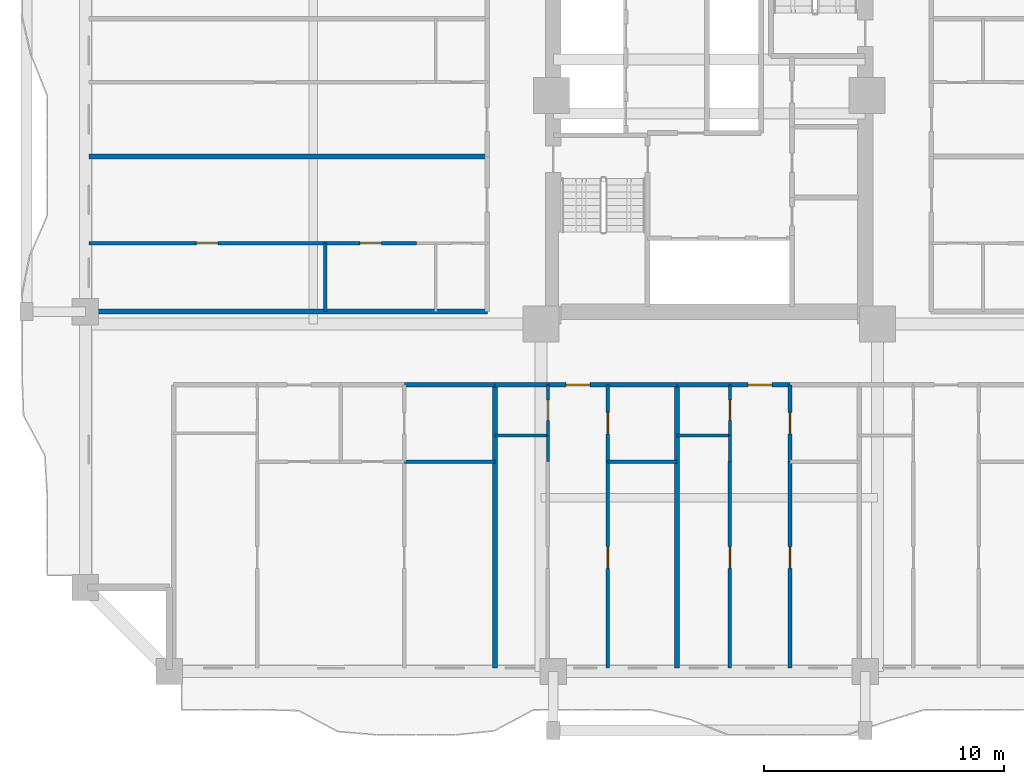
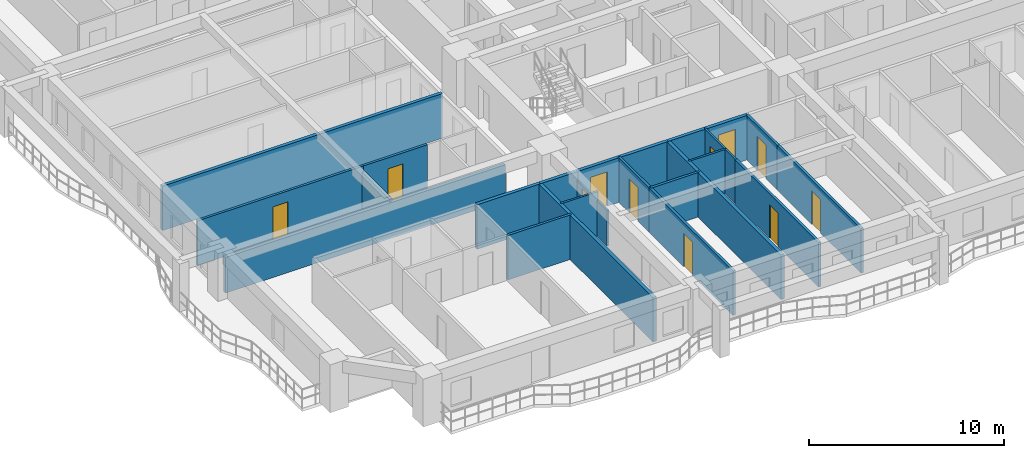
# One storey, part 3 of 16: 26 walls, 11 doors, 11 openings.
"""IFC4 building model written with IfcOpenShell, lengths in metres."""

import ifcopenshell
import ifcopenshell.guid

model = None  # the IFC model being written
_history = None  # IfcOwnerHistory: only IFC2X3 demands one
_inside = {}  # id of a spatial element -> (the spatial element, [elements in it])
_under = {}  # id of a project, library or spatial element -> (it, [spatial elements below it])
_declared = {}  # id of a project -> (the project, [libraries it declares])
_typed = {}  # id of a type object -> (the type object, [elements of that type])
_made_of = {}  # id of a material, layer set ... -> (it, [elements and type objects made of it])


def new_model(schema):
    """Start an empty IFC model of exactly this schema.

    Asked for "IFC4X3", IfcOpenShell would pick the latest addendum, in which some entities
    have other attributes; the version numbers below select the first issue.
    IFC2X3 requires an IfcOwnerHistory on every rooted entity: one is made here for all.
    """
    global model, _history
    if schema == "IFC4X3":
        model = ifcopenshell.file(schema_version=(4, 3, 0, 0))
    else:
        model = ifcopenshell.file(schema=schema)
    _inside.clear()
    _under.clear()
    _declared.clear()
    _typed.clear()
    _made_of.clear()
    _history = None
    if model.schema == "IFC2X3":
        org = make("IfcOrganization", Name="unknown")
        user = make(
            "IfcPersonAndOrganization",
            ThePerson=make("IfcPerson", FamilyName="unknown"),
            TheOrganization=org,
        )
        app = make(
            "IfcApplication",
            ApplicationDeveloper=org,
            Version="unknown",
            ApplicationFullName="unknown",
            ApplicationIdentifier="unknown",
        )
        _history = make(
            "IfcOwnerHistory",
            OwningUser=user,
            OwningApplication=app,
            ChangeAction="ADDED",
            CreationDate=0,
        )
    return model


def make(cls, **values):
    """One entity of the class cls with the attributes given. An attribute that is None is left unset."""
    return model.create_entity(
        cls, **{name: value for name, value in values.items() if value is not None}
    )


def rooted(cls, **values):
    """An entity with a GlobalId (a new one), such as an element, a storey or a relation."""
    return make(cls, GlobalId=ifcopenshell.guid.new(), OwnerHistory=_history, **values)


def si_unit(unit_type, name, prefix=None):
    """IfcSIUnit, for example si_unit("LENGTHUNIT", "METRE", prefix="MILLI")."""
    return make("IfcSIUnit", UnitType=unit_type, Prefix=prefix, Name=name)


def assignment(units):
    """IfcUnitAssignment: the units of a project."""
    return None if units is None else make("IfcUnitAssignment", Units=units)


def point(xyz):
    """IfcCartesianPoint."""
    return None if xyz is None else make("IfcCartesianPoint", Coordinates=xyz)


def direction(xyz):
    """IfcDirection."""
    return None if xyz is None else make("IfcDirection", DirectionRatios=xyz)


def frame(location, z_axis=None, x_axis=None):
    """IfcAxis2Placement3D, a coordinate frame: its origin and axes. An axis left out is left unset."""
    return make(
        "IfcAxis2Placement3D",
        Location=point(location),
        Axis=direction(z_axis),
        RefDirection=direction(x_axis),
    )


def frame_2d(location, x_axis=None):
    """IfcAxis2Placement2D, a coordinate frame in the plane: its origin and x axis."""
    return make(
        "IfcAxis2Placement2D", Location=point(location), RefDirection=direction(x_axis)
    )


def origin():
    """The frame at (0, 0, 0) with its axes left unset."""
    return frame((0.0, 0.0, 0.0))


def place(relative_to, where):
    """IfcLocalPlacement: puts the frame where relative to a parent placement (None: the world)."""
    return make(
        "IfcLocalPlacement", PlacementRelTo=relative_to, RelativePlacement=where
    )


def context(
    kind, dimensions, precision=None, world=None, true_north=None, identifier=None
):
    """IfcGeometricRepresentationContext, for example the 3D "Model" context."""
    return make(
        "IfcGeometricRepresentationContext",
        ContextIdentifier=identifier,
        ContextType=kind,
        CoordinateSpaceDimension=dimensions,
        Precision=precision,
        WorldCoordinateSystem=world,
        TrueNorth=true_north,
    )


def subcontext(parent, identifier, kind, view, scale=None):
    """IfcGeometricRepresentationSubContext, for example "Body" below "Model"."""
    return make(
        "IfcGeometricRepresentationSubContext",
        ContextIdentifier=identifier,
        ContextType=kind,
        ParentContext=parent,
        TargetScale=scale,
        TargetView=view,
    )


def project(units=None, contexts=None):
    """IfcProject with its units and contexts."""
    return rooted(
        "IfcProject",
        Name="project",
        RepresentationContexts=contexts,
        UnitsInContext=assignment(units),
    )


def spatial(cls, under=None, at=None, **own):
    """A site, building, storey or space (cls), placed at a placement, below another one or the project."""
    s = rooted(cls, ObjectPlacement=at, **own)
    if under is not None:
        _under.setdefault(under.id(), (under, []))[1].append(s)
    return s


def profile(cls, at=None, kind="AREA", **sizes):
    """A parametric profile (cls). Its sizes go by their IFC names, for example OverallWidth=200.0."""
    return make(cls, ProfileType=kind, Position=at, **sizes)


def rectangle(**sizes):
    """IfcRectangleProfileDef."""
    return profile("IfcRectangleProfileDef", **sizes)


def extrude(swept, where, along, depth):
    """IfcExtrudedAreaSolid: the profile swept, set in the frame where, extruded along a direction by depth."""
    return make(
        "IfcExtrudedAreaSolid",
        SweptArea=swept,
        Position=where,
        ExtrudedDirection=direction(along),
        Depth=depth,
    )


def shape(context_of_items, identifier, shape_type, items):
    """IfcShapeRepresentation: the items that make up one representation, for example the "Body"."""
    return make(
        "IfcShapeRepresentation",
        ContextOfItems=context_of_items,
        RepresentationIdentifier=identifier,
        RepresentationType=shape_type,
        Items=items,
    )


def source(mapping_origin, context_of_items, identifier, shape_type, items):
    """IfcRepresentationMap: a shape defined once, which mapped items show again and again."""
    return make(
        "IfcRepresentationMap",
        MappingOrigin=mapping_origin,
        MappedRepresentation=shape(context_of_items, identifier, shape_type, items),
    )


def transform(
    local_origin,
    x_axis=None,
    y_axis=None,
    z_axis=None,
    scale=None,
    scale2=None,
    scale3=None,
    uniform=True,
):
    """IfcCartesianTransformationOperator3D, or its non-uniform kind. x_axis, y_axis, z_axis: its Axis1, 2, 3."""
    if uniform:
        return make(
            "IfcCartesianTransformationOperator3D",
            Axis1=direction(x_axis),
            Axis2=direction(y_axis),
            LocalOrigin=point(local_origin),
            Scale=scale,
            Axis3=direction(z_axis),
        )
    return make(
        "IfcCartesianTransformationOperator3DnonUniform",
        Axis1=direction(x_axis),
        Axis2=direction(y_axis),
        LocalOrigin=point(local_origin),
        Scale=scale,
        Axis3=direction(z_axis),
        Scale2=scale2,
        Scale3=scale3,
    )


def mapped(mapping_source, mapping_target):
    """IfcMappedItem: shows the shape of a source again, moved by a transform."""
    return make(
        "IfcMappedItem", MappingSource=mapping_source, MappingTarget=mapping_target
    )


def material(Name=None, Category=None):
    """IfcMaterial."""
    return make("IfcMaterial", Name=Name, Category=Category)


def layer(
    of_material, thickness, ventilated=None, Name=None, Category=None, Priority=None
):
    """IfcMaterialLayer: one layer of a wall or slab, of a material (None: an air gap)."""
    return make(
        "IfcMaterialLayer",
        Material=of_material,
        LayerThickness=thickness,
        IsVentilated=ventilated,
        Name=Name,
        Category=Category,
        Priority=Priority,
    )


def layer_set(layers, Name=None):
    """IfcMaterialLayerSet."""
    return make("IfcMaterialLayerSet", MaterialLayers=layers, LayerSetName=Name)


def made_of(thing, what):
    """Note that an element or type object is made of a material, layer set ...; save() writes the relation."""
    if what is not None:
        _made_of.setdefault(what.id(), (what, []))[1].append(thing)
    return thing


def type_object(cls, material=None, **own):
    """A type object (cls), such as IfcWallType, which elements share."""
    return made_of(rooted(cls, **own), material)


def element(
    cls,
    number,
    at=None,
    inside=None,
    cuts=None,
    type_object=None,
    material=None,
    context=None,
    identifier="Body",
    shape_type=None,
    held_by="IfcProductDefinitionShape",
    body=None,
    shapes=None,
    **own,
):
    """One element of the class cls, such as IfcWall. Its Tag is "e" and its number.

    at: its placement. inside: the storey or other place that contains it. cuts: it is an
    opening in that element (IfcRelVoidsElement). A single representation is given by context,
    identifier, shape_type and body (its items); several are given by shapes. held_by: the class
    of the entity that holds the representations. save() writes the other relations.
    """
    e = rooted(cls, Tag="e%d" % number, ObjectPlacement=at, **own)
    if body is not None:
        shapes = [shape(context, identifier, shape_type, body)]
    if shapes is not None:
        e.Representation = make(held_by, Representations=shapes)
    if inside is not None:
        _inside.setdefault(inside.id(), (inside, []))[1].append(e)
    if cuts is not None:
        rooted(
            "IfcRelVoidsElement", RelatingBuildingElement=cuts, RelatedOpeningElement=e
        )
    if type_object is not None:
        _typed.setdefault(type_object.id(), (type_object, []))[1].append(e)
    return made_of(e, material)


def fill(opening, filler):
    """IfcRelFillsElement: the door or window that sits in an opening."""
    return rooted(
        "IfcRelFillsElement",
        RelatingOpeningElement=opening,
        RelatedBuildingElement=filler,
    )


def aggregate(whole, parts):
    """IfcRelAggregates: a whole, such as a stair, and the parts it consists of."""
    return rooted("IfcRelAggregates", RelatingObject=whole, RelatedObjects=parts)


def save(model, path):
    """Write the relations noted so far, then the file.

    IfcRelAggregates (storeys below a building ...), IfcRelContainedInSpatialStructure (elements
    in a storey), IfcRelDefinesByType, IfcRelAssociatesMaterial and IfcRelDeclares: one each for
    every whole, place, type object, material and project.
    """
    for whole, parts in _under.values():
        aggregate(whole, parts)
    for where, things in _inside.values():
        rooted(
            "IfcRelContainedInSpatialStructure",
            RelatedElements=things,
            RelatingStructure=where,
        )
    for kind, things in _typed.values():
        rooted("IfcRelDefinesByType", RelatedObjects=things, RelatingType=kind)
    for what, things in _made_of.values():
        rooted("IfcRelAssociatesMaterial", RelatedObjects=things, RelatingMaterial=what)
    for by, libraries in _declared.values():
        rooted("IfcRelDeclares", RelatingContext=by, RelatedDefinitions=libraries)
    model.write(path)


model = new_model("IFC4")

# Units and contexts
model_context = context("Model", 3, precision=1e-05, world=origin(), true_north=direction((0.0, 1.0)))
body_context = subcontext(model_context, "Body", "Model", "MODEL_VIEW")
ifc_project = project(units=[si_unit("LENGTHUNIT", "METRE"), si_unit("AREAUNIT", "SQUARE_METRE"), si_unit("VOLUMEUNIT", "CUBIC_METRE"), si_unit("PLANEANGLEUNIT", "RADIAN"), si_unit("MASSUNIT", "GRAM", prefix="KILO")], contexts=[model_context])

# Site, building, storey
site_placement = place(None, origin())
site = spatial("IfcSite", under=ifc_project, at=site_placement, CompositionType="ELEMENT")
building_placement = place(site_placement, origin())
building = spatial("IfcBuilding", under=site, at=building_placement, Name="Saelheon Loggia Tower", CompositionType="ELEMENT")
storey_placement = place(building_placement, frame((0.0, 0.0, 55.39990234375)))
storey = spatial("IfcBuildingStorey", under=building, at=storey_placement, Name="L17", CompositionType="ELEMENT", Elevation=55.39990234375)

# Walls
ifc_material_1 = material(Name="Lightweight Autoclaved Aerated Concrete Block and Acoustic Gypsum", Category="concrete")
ifc_layer_1 = layer(ifc_material_1, 0.14990234375)
ifc_layer_set_1 = layer_set([ifc_layer_1], Name="Lightweight Autoclaved Aerated Concrete Block and Acoustic Gypsum")
wall_type_1 = type_object("IfcWallType", Name="Wall_Part_150", PredefinedType="PARTITIONING", material=ifc_layer_set_1)
wall_1_placement = place(storey_placement, frame((25.29296875, 11.75, 0.0), z_axis=(0.0, 0.0, 1.0), x_axis=(1.0, 0.0, 0.0)))
element("IfcWall", 1, at=wall_1_placement, inside=storey, type_object=wall_type_1, Name="L17 S Partition V11", PredefinedType="PARTITIONING", context=body_context, shape_type="SweptSolid", body=[
    extrude(rectangle(XDim=3.779052734375, YDim=0.14990234375, at=frame_2d((1.8896484375, 0.0))), origin(), (0.0, 0.0, 1.0), 2.7900390625),
])
wall_2_placement = place(storey_placement, frame((33.777099609375, 11.75, 0.0), z_axis=(0.0, 0.0, 1.0), x_axis=(1.0, 0.0, 0.0)))
element("IfcWall", 2, at=wall_2_placement, inside=storey, type_object=wall_type_1, Name="L17 S Partition V22", PredefinedType="PARTITIONING", context=body_context, shape_type="SweptSolid", body=[
    extrude(rectangle(XDim=2.8837890625, YDim=0.14990234375, at=frame_2d((1.44189453125, 0.0))), origin(), (0.0, 0.0, 1.0), 2.7900390625),
])

# Wall, opening, door
wall_3_placement = place(storey_placement, frame((33.777099609375, 14.949951171875, 0.0), z_axis=(0.0, 0.0, 1.0), x_axis=(0.0, -1.0, 0.0)))
wall_3 = element("IfcWall", 3, at=wall_3_placement, inside=storey, type_object=wall_type_1, Name="L17 S Partition U26", PredefinedType="PARTITIONING", context=body_context, shape_type="SweptSolid", body=[
    extrude(rectangle(XDim=3.199951171875, YDim=0.14990234375, at=frame_2d((1.60009765625, 0.0))), origin(), (0.0, 0.0, 1.0), 2.7900390625),
])
opening_1_placement = place(wall_3_placement, frame((1.14990234375, 0.0, 0.0)))
opening_1 = element("IfcOpeningElement", 4, at=opening_1_placement, cuts=wall_3, Name="Opening D-IN2", PredefinedType="OPENING", context=body_context, shape_type="SweptSolid", body=[
    extrude(rectangle(XDim=0.89990234375, YDim=2.10009765625, at=frame_2d((0.449951171875, 1.050048828125))), frame((0.0, 0.0869140625, 0.0), z_axis=(0.0, -1.0, 0.0), x_axis=(1.0, 0.0, 0.0)), (0.0, 0.0, 1.0), 0.173828125),
])
ifc_material_2 = material(Name="Engineered Oak Flush Door", Category="timber")
door_type_1 = type_object("IfcDoorType", Name="Door_Int_900", OperationType="NOTDEFINED", PredefinedType="DOOR", material=ifc_material_2)
shared_shape_1 = source(origin(), body_context, "Body", "SweptSolid", [
    extrude(rectangle(XDim=0.89990234375, YDim=2.10009765625, at=frame_2d((0.449951171875, 1.050048828125))), frame((0.0, 0.02490234375, 0.0), z_axis=(0.0, -1.0, 0.0), x_axis=(1.0, 0.0, 0.0)), (0.0, 0.0, 1.0), 0.050048828125),
])
door_1_placement = place(opening_1_placement, origin())
door_1 = element("IfcDoor", 5, at=door_1_placement, inside=storey, type_object=door_type_1, Name="Unit U02 Dressing Closet Door", OperationType="SINGLE_SWING_LEFT", OverallHeight=2.10009765625, OverallWidth=0.89990234375, PredefinedType="DOOR", context=body_context, shape_type="MappedRepresentation", body=[
    mapped(shared_shape_1, transform((0.0, 0.0, 0.0), scale=1.0)),
])
fill(opening_1, door_1)

wall_4_placement = place(storey_placement, frame((33.777099609375, 11.75, 0.0), z_axis=(0.0, 0.0, 1.0), x_axis=(0.0, -1.0, 0.0)))
wall_4 = element("IfcWall", 6, at=wall_4_placement, inside=storey, type_object=wall_type_1, Name="L17 S Partition U27", PredefinedType="PARTITIONING", context=body_context, shape_type="SweptSolid", body=[
    extrude(rectangle(XDim=8.60009765625, YDim=0.14990234375, at=frame_2d((4.300048828125, 0.0))), origin(), (0.0, 0.0, 1.0), 2.7900390625),
])
opening_2_placement = place(wall_4_placement, frame((3.54931640625, 0.0, 0.0)))
opening_2 = element("IfcOpeningElement", 7, at=opening_2_placement, cuts=wall_4, Name="Opening D-IN2", PredefinedType="OPENING", context=body_context, shape_type="SweptSolid", body=[
    extrude(rectangle(XDim=0.89990234375, YDim=2.10009765625, at=frame_2d((0.449951171875, 1.050048828125))), frame((0.0, 0.0869140625, 0.0), z_axis=(0.0, -1.0, 0.0), x_axis=(1.0, 0.0, 0.0)), (0.0, 0.0, 1.0), 0.173828125),
])
door_2_placement = place(opening_2_placement, origin())
door_2 = element("IfcDoor", 8, at=door_2_placement, inside=storey, type_object=door_type_1, Name="Unit U02 Bedroom 1 Door", OperationType="SINGLE_SWING_RIGHT", OverallHeight=2.10009765625, OverallWidth=0.89990234375, PredefinedType="DOOR", context=body_context, shape_type="MappedRepresentation", body=[
    mapped(shared_shape_1, transform((0.0, 0.0, 0.0), scale=1.0)),
])
fill(opening_2, door_2)

wall_5_placement = place(storey_placement, frame((38.86083984375, 11.75, 0.0), z_axis=(0.0, 0.0, 1.0), x_axis=(0.0, -1.0, 0.0)))
wall_5 = element("IfcWall", 9, at=wall_5_placement, inside=storey, type_object=wall_type_1, Name="L17 S Partition U36", PredefinedType="PARTITIONING", context=body_context, shape_type="SweptSolid", body=[
    extrude(rectangle(XDim=8.60009765625, YDim=0.14990234375, at=frame_2d((4.300048828125, 0.0))), origin(), (0.0, 0.0, 1.0), 2.7900390625),
])
opening_3_placement = place(wall_5_placement, frame((3.54931640625, 0.0, 0.0)))
opening_3 = element("IfcOpeningElement", 10, at=opening_3_placement, cuts=wall_5, Name="Opening D-IN2", PredefinedType="OPENING", context=body_context, shape_type="SweptSolid", body=[
    extrude(rectangle(XDim=0.89990234375, YDim=2.10009765625, at=frame_2d((0.449951171875, 1.050048828125))), frame((0.0, 0.0869140625, 0.0), z_axis=(0.0, -1.0, 0.0), x_axis=(1.0, 0.0, 0.0)), (0.0, 0.0, 1.0), 0.173828125),
])
door_3_placement = place(opening_3_placement, origin())
door_3 = element("IfcDoor", 11, at=door_3_placement, inside=storey, type_object=door_type_1, Name="Unit U03 Kitchen Door", OperationType="SINGLE_SWING_LEFT", OverallHeight=2.10009765625, OverallWidth=0.89990234375, PredefinedType="DOOR", context=body_context, shape_type="MappedRepresentation", body=[
    mapped(shared_shape_1, transform((0.0, 0.0, 0.0), scale=1.0)),
])
fill(opening_3, door_3)

wall_6_placement = place(storey_placement, frame((41.365966796875, 14.949951171875, 0.0), z_axis=(0.0, 0.0, 1.0), x_axis=(0.0, -1.0, 0.0)))
wall_6 = element("IfcWall", 12, at=wall_6_placement, inside=storey, type_object=wall_type_1, Name="L17 S Partition U37", PredefinedType="PARTITIONING", context=body_context, shape_type="SweptSolid", body=[
    extrude(rectangle(XDim=3.199951171875, YDim=0.14990234375, at=frame_2d((1.60009765625, 0.0))), origin(), (0.0, 0.0, 1.0), 2.7900390625),
])
opening_4_placement = place(wall_6_placement, frame((1.14990234375, 0.0, 0.0)))
opening_4 = element("IfcOpeningElement", 13, at=opening_4_placement, cuts=wall_6, Name="Opening D-IN2", PredefinedType="OPENING", context=body_context, shape_type="SweptSolid", body=[
    extrude(rectangle(XDim=0.89990234375, YDim=2.10009765625, at=frame_2d((0.449951171875, 1.050048828125))), frame((0.0, 0.0869140625, 0.0), z_axis=(0.0, -1.0, 0.0), x_axis=(1.0, 0.0, 0.0)), (0.0, 0.0, 1.0), 0.173828125),
])
door_4_placement = place(opening_4_placement, origin())
door_4 = element("IfcDoor", 14, at=door_4_placement, inside=storey, type_object=door_type_1, Name="Unit U03 Dressing Closet Door", OperationType="SINGLE_SWING_RIGHT", OverallHeight=2.10009765625, OverallWidth=0.89990234375, PredefinedType="DOOR", context=body_context, shape_type="MappedRepresentation", body=[
    mapped(shared_shape_1, transform((0.0, 0.0, 0.0), scale=1.0)),
])
fill(opening_4, door_4)

wall_7_placement = place(storey_placement, frame((41.365966796875, 11.75, 0.0), z_axis=(0.0, 0.0, 1.0), x_axis=(0.0, -1.0, 0.0)))
wall_7 = element("IfcWall", 15, at=wall_7_placement, inside=storey, type_object=wall_type_1, Name="L17 S Partition U38", PredefinedType="PARTITIONING", context=body_context, shape_type="SweptSolid", body=[
    extrude(rectangle(XDim=8.60009765625, YDim=0.14990234375, at=frame_2d((4.300048828125, 0.0))), origin(), (0.0, 0.0, 1.0), 2.7900390625),
])
opening_5_placement = place(wall_7_placement, frame((3.54931640625, 0.0, 0.0)))
opening_5 = element("IfcOpeningElement", 16, at=opening_5_placement, cuts=wall_7, Name="Opening D-IN2", PredefinedType="OPENING", context=body_context, shape_type="SweptSolid", body=[
    extrude(rectangle(XDim=0.89990234375, YDim=2.10009765625, at=frame_2d((0.449951171875, 1.050048828125))), frame((0.0, 0.0869140625, 0.0), z_axis=(0.0, -1.0, 0.0), x_axis=(1.0, 0.0, 0.0)), (0.0, 0.0, 1.0), 0.173828125),
])
door_5_placement = place(opening_5_placement, origin())
door_5 = element("IfcDoor", 17, at=door_5_placement, inside=storey, type_object=door_type_1, Name="Unit U03 Bedroom 1 Door", OperationType="SINGLE_SWING_LEFT", OverallHeight=2.10009765625, OverallWidth=0.89990234375, PredefinedType="DOOR", context=body_context, shape_type="MappedRepresentation", body=[
    mapped(shared_shape_1, transform((0.0, 0.0, 0.0), scale=1.0)),
])
fill(opening_5, door_5)

# Wall
wall_8_placement = place(storey_placement, frame((21.989990234375, 18.0, 0.0), z_axis=(0.0, 0.0, 1.0), x_axis=(0.0, 1.0, 0.0)))
element("IfcWall", 18, at=wall_8_placement, inside=storey, type_object=wall_type_1, Name="L17 W Partition V08", PredefinedType="PARTITIONING", context=body_context, shape_type="SweptSolid", body=[
    extrude(rectangle(XDim=2.85009765625, YDim=0.14990234375, at=frame_2d((1.425048828125, 0.0))), origin(), (0.0, 0.0, 1.0), 2.440185546875),
])

# Wall, opening, door
wall_9_placement = place(storey_placement, frame((25.7900390625, 20.85009765625, 0.0), z_axis=(0.0, 0.0, 1.0), x_axis=(-1.0, 0.0, 0.0)))
wall_9 = element("IfcWall", 19, at=wall_9_placement, inside=storey, type_object=wall_type_1, Name="L17 W Partition U09", PredefinedType="PARTITIONING", context=body_context, shape_type="SweptSolid", body=[
    extrude(rectangle(XDim=3.800048828125, YDim=0.14990234375, at=frame_2d((1.89990234375, 0.0))), origin(), (0.0, 0.0, 1.0), 2.7900390625),
])
opening_6_placement = place(wall_9_placement, frame((1.449951171875, 0.0, 0.0)))
opening_6 = element("IfcOpeningElement", 20, at=opening_6_placement, cuts=wall_9, Name="Opening D-IN2", PredefinedType="OPENING", context=body_context, shape_type="SweptSolid", body=[
    extrude(rectangle(XDim=0.89990234375, YDim=2.10009765625, at=frame_2d((0.449951171875, 1.050048828125))), frame((0.0, 0.0869140625, 0.0), z_axis=(0.0, -1.0, 0.0), x_axis=(1.0, 0.0, 0.0)), (0.0, 0.0, 1.0), 0.173828125),
])
door_6_placement = place(opening_6_placement, origin())
door_6 = element("IfcDoor", 21, at=door_6_placement, inside=storey, type_object=door_type_1, Name="Unit U10 Kitchen Door", OperationType="SINGLE_SWING_LEFT", OverallHeight=2.10009765625, OverallWidth=0.89990234375, PredefinedType="DOOR", context=body_context, shape_type="MappedRepresentation", body=[
    mapped(shared_shape_1, transform((0.0, 0.0, 0.0), scale=1.0)),
])
fill(opening_6, door_6)

wall_10_placement = place(storey_placement, frame((21.989990234375, 20.85009765625, 0.0), z_axis=(0.0, 0.0, 1.0), x_axis=(-1.0, 0.0, 0.0)))
wall_10 = element("IfcWall", 22, at=wall_10_placement, inside=storey, type_object=wall_type_1, Name="L17 W Partition U10", PredefinedType="PARTITIONING", context=body_context, shape_type="SweptSolid", body=[
    extrude(rectangle(XDim=9.840087890625, YDim=0.14990234375, at=frame_2d((4.919921875, 0.0))), origin(), (0.0, 0.0, 1.0), 2.7900390625),
])
opening_7_placement = place(wall_10_placement, frame((4.469970703125, 0.0, 0.0)))
opening_7 = element("IfcOpeningElement", 23, at=opening_7_placement, cuts=wall_10, Name="Opening D-IN2", PredefinedType="OPENING", context=body_context, shape_type="SweptSolid", body=[
    extrude(rectangle(XDim=0.89990234375, YDim=2.10009765625, at=frame_2d((0.449951171875, 1.050048828125))), frame((0.0, 0.0869140625, 0.0), z_axis=(0.0, -1.0, 0.0), x_axis=(1.0, 0.0, 0.0)), (0.0, 0.0, 1.0), 0.173828125),
])
door_7_placement = place(opening_7_placement, origin())
door_7 = element("IfcDoor", 24, at=door_7_placement, inside=storey, type_object=door_type_1, Name="Unit U10 Bedroom 1 Door", OperationType="SINGLE_SWING_RIGHT", OverallHeight=2.10009765625, OverallWidth=0.89990234375, PredefinedType="DOOR", context=body_context, shape_type="MappedRepresentation", body=[
    mapped(shared_shape_1, transform((0.0, 0.0, 0.0), scale=1.0)),
])
fill(opening_7, door_7)

# Walls
ifc_material_3 = material(Name="Double Acoustic Stud and Fireboard Partition", Category="gypsum")
ifc_layer_2 = layer(ifc_material_3, 0.199951171875)
ifc_layer_set_2 = layer_set([ifc_layer_2], Name="Double Acoustic Stud and Fireboard Partition")
wall_type_2 = type_object("IfcWallType", Name="Wall_Party_200", PredefinedType="PARTITIONING", material=ifc_layer_set_2)
wall_11_placement = place(storey_placement, frame((25.29296875, 14.949951171875, 0.0), z_axis=(0.0, 0.0, 1.0), x_axis=(1.0, 0.0, 0.0)))
element("IfcWall", 25, at=wall_11_placement, inside=storey, type_object=wall_type_2, Name="L17 S Partition V09", PredefinedType="PARTITIONING", context=body_context, shape_type="SweptSolid", body=[
    extrude(rectangle(XDim=3.779052734375, YDim=0.199951171875, at=frame_2d((1.8896484375, 0.0))), origin(), (0.0, 0.0, 1.0), 2.7900390625),
])
wall_12_placement = place(storey_placement, frame((29.072021484375, 14.949951171875, 0.0), z_axis=(0.0, 0.0, 1.0), x_axis=(0.0, -1.0, 0.0)))
element("IfcWall", 26, at=wall_12_placement, inside=storey, type_object=wall_type_2, Name="L17 S Partition U17", PredefinedType="PARTITIONING", context=body_context, shape_type="SweptSolid", body=[
    extrude(rectangle(XDim=11.800048828125, YDim=0.199951171875, at=frame_2d((5.89990234375, 0.0))), origin(), (0.0, 0.0, 1.0), 2.7900390625),
])
wall_13_placement = place(storey_placement, frame((29.072021484375, 14.949951171875, 0.0), z_axis=(0.0, 0.0, 1.0), x_axis=(1.0, 0.0, 0.0)))
element("IfcWall", 27, at=wall_13_placement, inside=storey, type_object=wall_type_2, Name="L17 S Partition V18", PredefinedType="PARTITIONING", context=body_context, shape_type="SweptSolid", body=[
    extrude(rectangle(XDim=2.199951171875, YDim=0.199951171875, at=frame_2d((1.10009765625, 0.0))), origin(), (0.0, 0.0, 1.0), 2.7900390625),
])

# Wall, opening, door
wall_14_placement = place(storey_placement, frame((31.27197265625, 14.949951171875, 0.0), z_axis=(0.0, 0.0, 1.0), x_axis=(1.0, 0.0, 0.0)))
wall_14 = element("IfcWall", 28, at=wall_14_placement, inside=storey, type_object=wall_type_2, Name="L17 S Partition V19", PredefinedType="PARTITIONING", context=body_context, shape_type="SweptSolid", body=[
    extrude(rectangle(XDim=2.505126953125, YDim=0.199951171875, at=frame_2d((1.25244140625, 0.0))), origin(), (0.0, 0.0, 1.0), 2.7900390625),
])
opening_8_placement = place(wall_14_placement, frame((0.75244140625, 0.0, 0.0)))
opening_8 = element("IfcOpeningElement", 29, at=opening_8_placement, cuts=wall_14, Name="Opening D-FD1", PredefinedType="OPENING", context=body_context, shape_type="SweptSolid", body=[
    extrude(rectangle(XDim=1.0, YDim=2.14990234375, at=frame_2d((0.5, 1.074951171875))), frame((0.0, 0.112060546875, 0.0), z_axis=(0.0, -1.0, 0.0), x_axis=(1.0, 0.0, 0.0)), (0.0, 0.0, 1.0), 0.223876953125),
])
ifc_material_4 = material(Name="Fire-Rated Engineered Timber Entrance Door", Category="wood")
door_type_2 = type_object("IfcDoorType", Name="Door_Flat_FD30S", OperationType="NOTDEFINED", PredefinedType="DOOR", material=ifc_material_4)
shared_shape_2 = source(origin(), body_context, "Body", "SweptSolid", [
    extrude(rectangle(XDim=1.0, YDim=2.14990234375, at=frame_2d((0.5, 1.074951171875))), frame((0.0, 0.02490234375, 0.0), z_axis=(0.0, -1.0, 0.0), x_axis=(1.0, 0.0, 0.0)), (0.0, 0.0, 1.0), 0.050048828125),
])
door_8_placement = place(opening_8_placement, origin())
door_8 = element("IfcDoor", 30, at=door_8_placement, inside=storey, type_object=door_type_2, Name="Unit U02 Entrance Door", OperationType="SINGLE_SWING_RIGHT", OverallHeight=2.14990234375, OverallWidth=1.0, PredefinedType="DOOR", context=body_context, shape_type="MappedRepresentation", body=[
    mapped(shared_shape_2, transform((0.0, 0.0, 0.0), scale=1.0)),
])
fill(opening_8, door_8)

# Walls
wall_15_placement = place(storey_placement, frame((33.777099609375, 14.949951171875, 0.0), z_axis=(0.0, 0.0, 1.0), x_axis=(1.0, 0.0, 0.0)))
element("IfcWall", 31, at=wall_15_placement, inside=storey, type_object=wall_type_2, Name="L17 S Partition V20", PredefinedType="PARTITIONING", context=body_context, shape_type="SweptSolid", body=[
    extrude(rectangle(XDim=2.8837890625, YDim=0.199951171875, at=frame_2d((1.44189453125, 0.0))), origin(), (0.0, 0.0, 1.0), 2.7900390625),
])
wall_16_placement = place(storey_placement, frame((36.660888671875, 14.949951171875, 0.0), z_axis=(0.0, 0.0, 1.0), x_axis=(0.0, -1.0, 0.0)))
element("IfcWall", 32, at=wall_16_placement, inside=storey, type_object=wall_type_2, Name="L17 S Partition U28", PredefinedType="PARTITIONING", context=body_context, shape_type="SweptSolid", body=[
    extrude(rectangle(XDim=11.800048828125, YDim=0.199951171875, at=frame_2d((5.89990234375, 0.0))), origin(), (0.0, 0.0, 1.0), 2.7900390625),
])
wall_17_placement = place(storey_placement, frame((36.660888671875, 14.949951171875, 0.0), z_axis=(0.0, 0.0, 1.0), x_axis=(1.0, 0.0, 0.0)))
element("IfcWall", 33, at=wall_17_placement, inside=storey, type_object=wall_type_2, Name="L17 S Partition V29", PredefinedType="PARTITIONING", context=body_context, shape_type="SweptSolid", body=[
    extrude(rectangle(XDim=2.199951171875, YDim=0.199951171875, at=frame_2d((1.10009765625, 0.0))), origin(), (0.0, 0.0, 1.0), 2.7900390625),
])

# Wall, opening, door
wall_18_placement = place(storey_placement, frame((38.86083984375, 14.949951171875, 0.0), z_axis=(0.0, 0.0, 1.0), x_axis=(1.0, 0.0, 0.0)))
wall_18 = element("IfcWall", 34, at=wall_18_placement, inside=storey, type_object=wall_type_2, Name="L17 S Partition V30", PredefinedType="PARTITIONING", context=body_context, shape_type="SweptSolid", body=[
    extrude(rectangle(XDim=2.505126953125, YDim=0.199951171875, at=frame_2d((1.25244140625, 0.0))), origin(), (0.0, 0.0, 1.0), 2.7900390625),
])
opening_9_placement = place(wall_18_placement, frame((0.752685546875, 0.0, 0.0)))
opening_9 = element("IfcOpeningElement", 35, at=opening_9_placement, cuts=wall_18, Name="Opening D-FD1", PredefinedType="OPENING", context=body_context, shape_type="SweptSolid", body=[
    extrude(rectangle(XDim=1.0, YDim=2.14990234375, at=frame_2d((0.5, 1.074951171875))), frame((0.0, 0.112060546875, 0.0), z_axis=(0.0, -1.0, 0.0), x_axis=(1.0, 0.0, 0.0)), (0.0, 0.0, 1.0), 0.223876953125),
])
door_9_placement = place(opening_9_placement, origin())
door_9 = element("IfcDoor", 36, at=door_9_placement, inside=storey, type_object=door_type_2, Name="Unit U03 Entrance Door", OperationType="SINGLE_SWING_LEFT", OverallHeight=2.14990234375, OverallWidth=1.0, PredefinedType="DOOR", context=body_context, shape_type="MappedRepresentation", body=[
    mapped(shared_shape_2, transform((0.0, 0.0, 0.0), scale=1.0)),
])
fill(opening_9, door_9)

# Walls
wall_19_placement = place(storey_placement, frame((28.75, 18.0, 0.0), z_axis=(0.0, 0.0, 1.0), x_axis=(-1.0, 0.0, 0.0)))
element("IfcWall", 37, at=wall_19_placement, inside=storey, type_object=wall_type_2, Name="L17 W Partition U01", PredefinedType="PARTITIONING", context=body_context, shape_type="SweptSolid", body=[
    extrude(rectangle(XDim=16.60009765625, YDim=0.199951171875, at=frame_2d((8.300048828125, 0.0))), origin(), (0.0, 0.0, 1.0), 2.239990234375),
])
wall_20_placement = place(storey_placement, frame((28.75, 24.4619140625, 0.0), z_axis=(0.0, 0.0, 1.0), x_axis=(-1.0, 0.0, 0.0)))
element("IfcWall", 38, at=wall_20_placement, inside=storey, type_object=wall_type_2, Name="L17 W Partition U11", PredefinedType="PARTITIONING", context=body_context, shape_type="SweptSolid", body=[
    extrude(rectangle(XDim=16.60009765625, YDim=0.199951171875, at=frame_2d((8.300048828125, 0.0))), origin(), (0.0, 0.0, 1.0), 2.7900390625),
])
ifc_material_5 = material(Name="Moisture-Resistant Cement Board Partition", Category="gypsum")
ifc_layer_3 = layer(ifc_material_5, 0.1201171875)
ifc_layer_set_3 = layer_set([ifc_layer_3], Name="Moisture-Resistant Cement Board Partition")
wall_type_3 = type_object("IfcWallType", Name="Wall_WetPart_120", PredefinedType="PARTITIONING", material=ifc_layer_set_3)
wall_21_placement = place(storey_placement, frame((29.072021484375, 12.830078125, 0.0), z_axis=(0.0, 0.0, 1.0), x_axis=(1.0, 0.0, 0.0)))
element("IfcWall", 39, at=wall_21_placement, inside=storey, type_object=wall_type_3, Name="L17 S Partition V21", PredefinedType="PARTITIONING", context=body_context, shape_type="SweptSolid", body=[
    extrude(rectangle(XDim=2.199951171875, YDim=0.1201171875, at=frame_2d((1.10009765625, 0.0))), origin(), (0.0, 0.0, 1.0), 2.7900390625),
])

# Wall, opening, door
wall_22_placement = place(storey_placement, frame((31.27197265625, 14.949951171875, 0.0), z_axis=(0.0, 0.0, 1.0), x_axis=(0.0, -1.0, 0.0)))
wall_22 = element("IfcWall", 40, at=wall_22_placement, inside=storey, type_object=wall_type_3, Name="L17 S Partition U23", PredefinedType="PARTITIONING", context=body_context, shape_type="SweptSolid", body=[
    extrude(rectangle(XDim=2.119873046875, YDim=0.1201171875, at=frame_2d((1.06005859375, 0.0))), origin(), (0.0, 0.0, 1.0), 2.239990234375),
])
opening_10_placement = place(wall_22_placement, frame((0.635009765625, 0.0, 0.0)))
opening_10 = element("IfcOpeningElement", 41, at=opening_10_placement, cuts=wall_22, Name="Opening D-BT1", PredefinedType="OPENING", context=body_context, shape_type="SweptSolid", body=[
    extrude(rectangle(XDim=0.85009765625, YDim=2.050048828125, at=frame_2d((0.425048828125, 1.02490234375))), frame((0.0, 0.072021484375, 0.0), z_axis=(0.0, -1.0, 0.0), x_axis=(1.0, 0.0, 0.0)), (0.0, 0.0, 1.0), 0.14404296875),
])
ifc_material_6 = material(Name="Moisture-Resistant Laminate Timber Door", Category="wood")
door_type_3 = type_object("IfcDoorType", Name="Door_Bath_850", OperationType="NOTDEFINED", PredefinedType="DOOR", material=ifc_material_6)
shared_shape_3 = source(origin(), body_context, "Body", "SweptSolid", [
    extrude(rectangle(XDim=0.85009765625, YDim=2.050048828125, at=frame_2d((0.425048828125, 1.02490234375))), frame((0.0, 0.02490234375, 0.0), z_axis=(0.0, -1.0, 0.0), x_axis=(1.0, 0.0, 0.0)), (0.0, 0.0, 1.0), 0.050048828125),
])
door_10_placement = place(opening_10_placement, origin())
door_10 = element("IfcDoor", 42, at=door_10_placement, inside=storey, type_object=door_type_3, Name="Unit U02 Bathroom Door", OperationType="SINGLE_SWING_LEFT", OverallHeight=2.050048828125, OverallWidth=0.85009765625, PredefinedType="DOOR", context=body_context, shape_type="MappedRepresentation", body=[
    mapped(shared_shape_3, transform((0.0, 0.0, 0.0), scale=1.0)),
])
fill(opening_10, door_10)

# Walls
wall_23_placement = place(storey_placement, frame((31.27197265625, 12.830078125, 0.0), z_axis=(0.0, 0.0, 1.0), x_axis=(0.0, -1.0, 0.0)))
element("IfcWall", 43, at=wall_23_placement, inside=storey, type_object=wall_type_3, Name="L17 S Partition U24", PredefinedType="PARTITIONING", context=body_context, shape_type="SweptSolid", body=[
    extrude(rectangle(XDim=1.080078125, YDim=0.1201171875, at=frame_2d((0.5400390625, 0.0))), origin(), (0.0, 0.0, 1.0), 2.239990234375),
])
wall_24_placement = place(storey_placement, frame((36.660888671875, 12.830078125, 0.0), z_axis=(0.0, 0.0, 1.0), x_axis=(1.0, 0.0, 0.0)))
element("IfcWall", 44, at=wall_24_placement, inside=storey, type_object=wall_type_3, Name="L17 S Partition V32", PredefinedType="PARTITIONING", context=body_context, shape_type="SweptSolid", body=[
    extrude(rectangle(XDim=2.199951171875, YDim=0.1201171875, at=frame_2d((1.10009765625, 0.0))), origin(), (0.0, 0.0, 1.0), 2.7900390625),
])

# Wall, opening, door
wall_25_placement = place(storey_placement, frame((38.86083984375, 14.949951171875, 0.0), z_axis=(0.0, 0.0, 1.0), x_axis=(0.0, -1.0, 0.0)))
wall_25 = element("IfcWall", 45, at=wall_25_placement, inside=storey, type_object=wall_type_3, Name="L17 S Partition U34", PredefinedType="PARTITIONING", context=body_context, shape_type="SweptSolid", body=[
    extrude(rectangle(XDim=2.119873046875, YDim=0.1201171875, at=frame_2d((1.06005859375, 0.0))), origin(), (0.0, 0.0, 1.0), 2.7900390625),
])
opening_11_placement = place(wall_25_placement, frame((0.635009765625, 0.0, 0.0)))
opening_11 = element("IfcOpeningElement", 46, at=opening_11_placement, cuts=wall_25, Name="Opening D-BT1", PredefinedType="OPENING", context=body_context, shape_type="SweptSolid", body=[
    extrude(rectangle(XDim=0.85009765625, YDim=2.050048828125, at=frame_2d((0.425048828125, 1.02490234375))), frame((0.0, 0.072021484375, 0.0), z_axis=(0.0, -1.0, 0.0), x_axis=(1.0, 0.0, 0.0)), (0.0, 0.0, 1.0), 0.14404296875),
])
door_11_placement = place(opening_11_placement, origin())
door_11 = element("IfcDoor", 47, at=door_11_placement, inside=storey, type_object=door_type_3, Name="Unit U03 Bathroom Door", OperationType="SINGLE_SWING_RIGHT", OverallHeight=2.050048828125, OverallWidth=0.85009765625, PredefinedType="DOOR", context=body_context, shape_type="MappedRepresentation", body=[
    mapped(shared_shape_3, transform((0.0, 0.0, 0.0), scale=1.0)),
])
fill(opening_11, door_11)

# Wall
wall_26_placement = place(storey_placement, frame((38.86083984375, 12.830078125, 0.0), z_axis=(0.0, 0.0, 1.0), x_axis=(0.0, -1.0, 0.0)))
element("IfcWall", 48, at=wall_26_placement, inside=storey, type_object=wall_type_3, Name="L17 S Partition U35", PredefinedType="PARTITIONING", context=body_context, shape_type="SweptSolid", body=[
    extrude(rectangle(XDim=1.080078125, YDim=0.1201171875, at=frame_2d((0.5400390625, 0.0))), origin(), (0.0, 0.0, 1.0), 2.7900390625),
])

save(model, "model.ifc")
